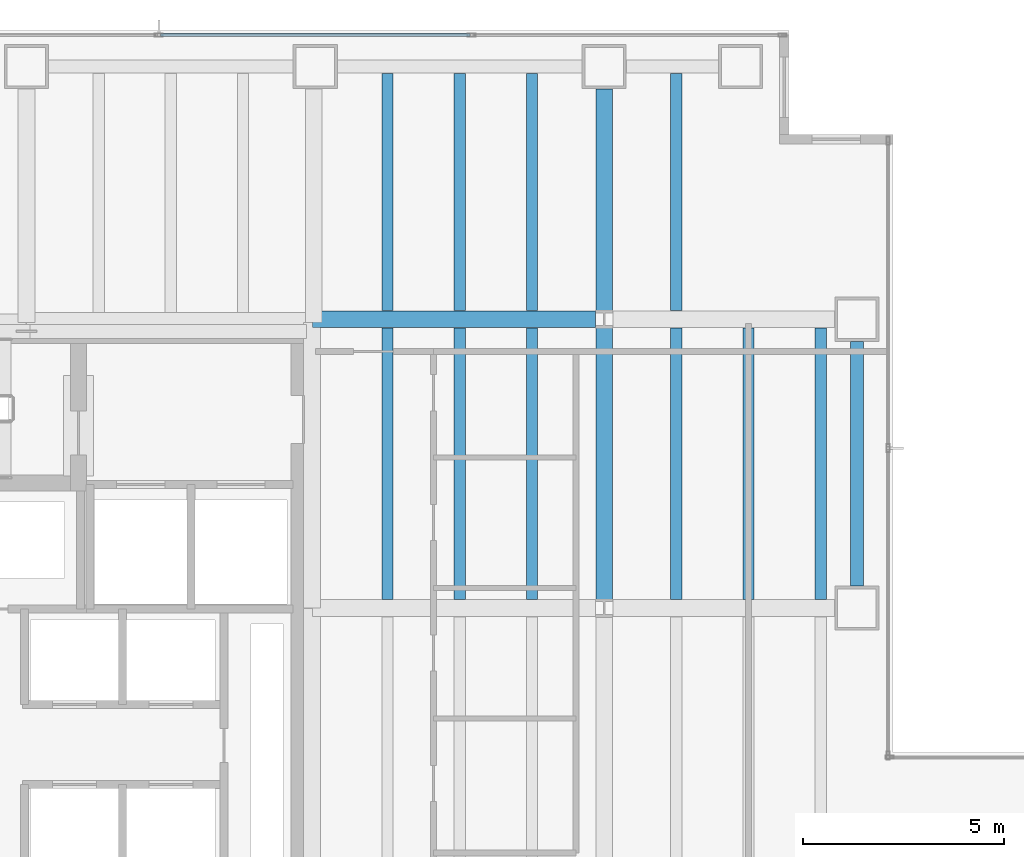
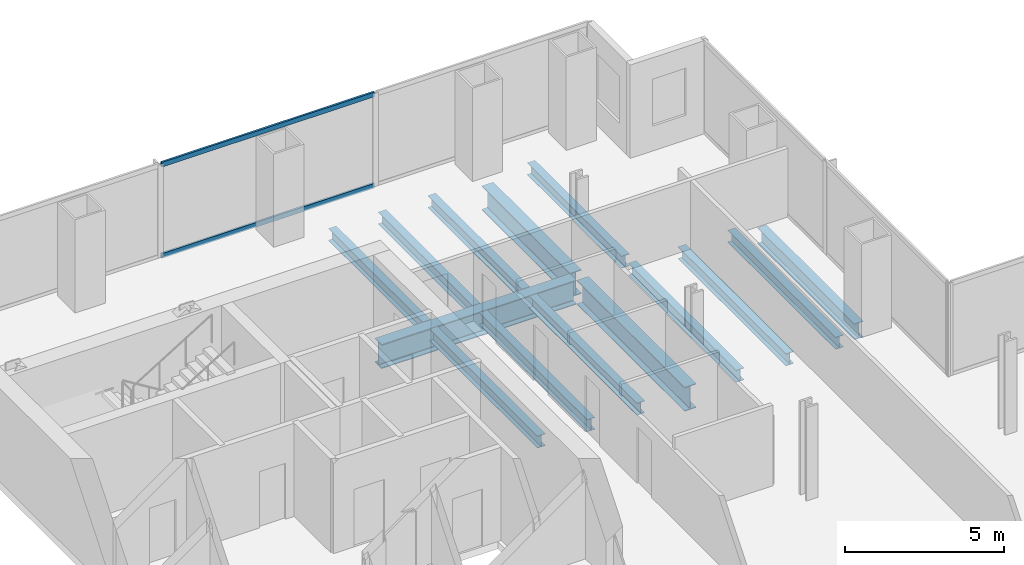
# One storey, part 17 of 25: 14 beams, 2 members, 1 element without a shape of its own.
"""IFC4 building model written with IfcOpenShell, lengths in metres."""

from ifc_helpers import new_model, si_unit, direction, frame, origin, origin_2d, place, context, subcontext, project, spatial, hollow_rectangle, i_section, extrude, material, material_profile, profile_set, type_object, element, aggregate, save


model = new_model("IFC4")

# Units and contexts
model_context = context("Model", 3, precision=1e-05, world=origin(), true_north=direction((0.0, 1.0)))
body_context = subcontext(model_context, "Body", "Model", "MODEL_VIEW")
ifc_project = project(units=[si_unit("LENGTHUNIT", "METRE"), si_unit("AREAUNIT", "SQUARE_METRE"), si_unit("VOLUMEUNIT", "CUBIC_METRE"), si_unit("PLANEANGLEUNIT", "RADIAN"), si_unit("MASSUNIT", "GRAM", prefix="KILO")], contexts=[model_context])

# Site, building, storey
site_placement = place(None, origin())
site = spatial("IfcSite", under=ifc_project, at=site_placement, CompositionType="ELEMENT")
building_placement = place(site_placement, origin())
building = spatial("IfcBuilding", under=site, at=building_placement, Name="Cobrela Telecom Tower", CompositionType="ELEMENT")
storey_placement = place(building_placement, frame((0.0, 0.0, 35.0)))
storey = spatial("IfcBuildingStorey", under=building, at=storey_placement, Name="L08", CompositionType="ELEMENT", Elevation=35.0)

# Beams
ifc_material_1 = material(Name="Steel ASTM A992 Grade 50", Category="steel")
ifc_material_profile_1 = material_profile(ifc_material_1, i_section(OverallWidth=0.4189453125, OverallDepth=0.927001953125, WebThickness=0.019287109375, FlangeThickness=0.031982421875, FilletRadius=0.02392578125, at=origin_2d()), Name="W36X231")
ifc_profile_set_1 = profile_set([ifc_material_profile_1], Name="Steel ASTM A992 Grade 50")
beam_type_1 = type_object("IfcBeamType", Name="BM-GIRD-02", PredefinedType="USERDEFINED", material=ifc_profile_set_1)
beam_1_placement = place(storey_placement, frame((14.324951171875, 36.0, -0.743408203125), z_axis=(1.0, 0.0, 0.0), x_axis=(0.0, 1.0, 0.0)))
element("IfcBeam", 1, at=beam_1_placement, inside=storey, type_object=beam_type_1, Name="L08 Primary Girder X27", ObjectType="GIRDER", PredefinedType="USERDEFINED", context=body_context, shape_type="SweptSolid", body=[
    extrude(i_section(OverallWidth=0.4189453125, OverallDepth=0.927001953125, WebThickness=0.019287109375, FlangeThickness=0.031982421875, FilletRadius=0.02392578125, at=origin_2d()), origin(), (0.0, 0.0, 1.0), 7.05908203125),
])
beam_2_placement = place(storey_placement, frame((21.60009765625, 29.01611328125, -0.743408203125), z_axis=(0.0, 1.0, 0.0), x_axis=(-1.0, 0.0, 0.0)))
element("IfcBeam", 2, at=beam_2_placement, inside=storey, type_object=beam_type_1, Name="L08 Primary Girder Y44", ObjectType="GIRDER", PredefinedType="USERDEFINED", context=body_context, shape_type="SweptSolid", body=[
    extrude(i_section(OverallWidth=0.4189453125, OverallDepth=0.927001953125, WebThickness=0.019287109375, FlangeThickness=0.031982421875, FilletRadius=0.02392578125, at=origin_2d()), origin(), (0.0, 0.0, 1.0), 6.767822265625),
])
beam_3_placement = place(storey_placement, frame((21.60009765625, 36.216064453125, -0.743408203125), z_axis=(0.0, 1.0, 0.0), x_axis=(-1.0, 0.0, 0.0)))
element("IfcBeam", 3, at=beam_3_placement, inside=storey, type_object=beam_type_1, Name="L08 Primary Girder Y45", ObjectType="GIRDER", PredefinedType="USERDEFINED", context=body_context, shape_type="SweptSolid", body=[
    extrude(i_section(OverallWidth=0.4189453125, OverallDepth=0.927001953125, WebThickness=0.019287109375, FlangeThickness=0.031982421875, FilletRadius=0.02392578125, at=origin_2d()), origin(), (0.0, 0.0, 1.0), 5.529052734375),
])
ifc_material_profile_2 = material_profile(ifc_material_1, i_section(OverallWidth=0.281982421875, OverallDepth=0.467041015625, WebThickness=0.01220703125, FlangeThickness=0.01953125, FilletRadius=0.012939453125, at=origin_2d()), Name="W18X86")
ifc_profile_set_2 = profile_set([ifc_material_profile_2], Name="Steel ASTM A992 Grade 50")
beam_type_2 = type_object("IfcBeamType", Name="BM-JOIST-02", PredefinedType="JOIST", material=ifc_profile_set_2)
beam_4_placement = place(storey_placement, frame((16.199951171875, 29.014404296875, -0.513427734375), z_axis=(0.0, 1.0, 0.0), x_axis=(-1.0, 0.0, 0.0)))
element("IfcBeam", 4, at=beam_4_placement, inside=storey, type_object=beam_type_2, Name="L08 Secondary Composite Floor Beam J11", PredefinedType="JOIST", context=body_context, shape_type="SweptSolid", body=[
    extrude(i_section(OverallWidth=0.281982421875, OverallDepth=0.467041015625, WebThickness=0.01220703125, FlangeThickness=0.01953125, FilletRadius=0.012939453125, at=origin_2d()), origin(), (0.0, 0.0, 1.0), 6.77099609375),
])
beam_5_placement = place(storey_placement, frame((16.199951171875, 36.214599609375, -0.513427734375), z_axis=(0.0, 1.0, 0.0), x_axis=(-1.0, 0.0, 0.0)))
element("IfcBeam", 5, at=beam_5_placement, inside=storey, type_object=beam_type_2, Name="L08 Secondary Composite Floor Beam J12", PredefinedType="JOIST", context=body_context, shape_type="SweptSolid", body=[
    extrude(i_section(OverallWidth=0.281982421875, OverallDepth=0.467041015625, WebThickness=0.01220703125, FlangeThickness=0.01953125, FilletRadius=0.012939453125, at=origin_2d()), origin(), (0.0, 0.0, 1.0), 5.91796875),
])
beam_6_placement = place(storey_placement, frame((18.0, 29.014404296875, -0.513427734375), z_axis=(0.0, 1.0, 0.0), x_axis=(-1.0, 0.0, 0.0)))
element("IfcBeam", 6, at=beam_6_placement, inside=storey, type_object=beam_type_2, Name="L08 Secondary Composite Floor Beam J17", PredefinedType="JOIST", context=body_context, shape_type="SweptSolid", body=[
    extrude(i_section(OverallWidth=0.281982421875, OverallDepth=0.467041015625, WebThickness=0.01220703125, FlangeThickness=0.01953125, FilletRadius=0.012939453125, at=origin_2d()), origin(), (0.0, 0.0, 1.0), 6.77099609375),
])
beam_7_placement = place(storey_placement, frame((18.0, 36.214599609375, -0.513427734375), z_axis=(0.0, 1.0, 0.0), x_axis=(-1.0, 0.0, 0.0)))
element("IfcBeam", 7, at=beam_7_placement, inside=storey, type_object=beam_type_2, Name="L08 Secondary Composite Floor Beam J18", PredefinedType="JOIST", context=body_context, shape_type="SweptSolid", body=[
    extrude(i_section(OverallWidth=0.281982421875, OverallDepth=0.467041015625, WebThickness=0.01220703125, FlangeThickness=0.01953125, FilletRadius=0.012939453125, at=origin_2d()), origin(), (0.0, 0.0, 1.0), 5.91796875),
])
beam_8_placement = place(storey_placement, frame((19.800048828125, 29.014404296875, -0.513427734375), z_axis=(0.0, 1.0, 0.0), x_axis=(-1.0, 0.0, 0.0)))
element("IfcBeam", 8, at=beam_8_placement, inside=storey, type_object=beam_type_2, Name="L08 Secondary Composite Floor Beam J23", PredefinedType="JOIST", context=body_context, shape_type="SweptSolid", body=[
    extrude(i_section(OverallWidth=0.281982421875, OverallDepth=0.467041015625, WebThickness=0.01220703125, FlangeThickness=0.01953125, FilletRadius=0.012939453125, at=origin_2d()), origin(), (0.0, 0.0, 1.0), 6.77099609375),
])
beam_9_placement = place(storey_placement, frame((19.800048828125, 36.214599609375, -0.513427734375), z_axis=(0.0, 1.0, 0.0), x_axis=(-1.0, 0.0, 0.0)))
element("IfcBeam", 9, at=beam_9_placement, inside=storey, type_object=beam_type_2, Name="L08 Secondary Composite Floor Beam J24", PredefinedType="JOIST", context=body_context, shape_type="SweptSolid", body=[
    extrude(i_section(OverallWidth=0.281982421875, OverallDepth=0.467041015625, WebThickness=0.01220703125, FlangeThickness=0.01953125, FilletRadius=0.012939453125, at=origin_2d()), origin(), (0.0, 0.0, 1.0), 5.91796875),
])
beam_10_placement = place(storey_placement, frame((23.39990234375, 29.014404296875, -0.513427734375), z_axis=(0.0, 1.0, 0.0), x_axis=(-1.0, 0.0, 0.0)))
element("IfcBeam", 10, at=beam_10_placement, inside=storey, type_object=beam_type_2, Name="L08 Secondary Composite Floor Beam J29", PredefinedType="JOIST", context=body_context, shape_type="SweptSolid", body=[
    extrude(i_section(OverallWidth=0.281982421875, OverallDepth=0.467041015625, WebThickness=0.01220703125, FlangeThickness=0.01953125, FilletRadius=0.012939453125, at=origin_2d()), origin(), (0.0, 0.0, 1.0), 6.77099609375),
])
beam_11_placement = place(storey_placement, frame((23.39990234375, 36.214599609375, -0.513427734375), z_axis=(0.0, 1.0, 0.0), x_axis=(-1.0, 0.0, 0.0)))
element("IfcBeam", 11, at=beam_11_placement, inside=storey, type_object=beam_type_2, Name="L08 Secondary Composite Floor Beam J30", PredefinedType="JOIST", context=body_context, shape_type="SweptSolid", body=[
    extrude(i_section(OverallWidth=0.281982421875, OverallDepth=0.467041015625, WebThickness=0.01220703125, FlangeThickness=0.01953125, FilletRadius=0.012939453125, at=origin_2d()), origin(), (0.0, 0.0, 1.0), 5.91796875),
])
for number, where, z_axis, x_axis, name in (
    (12, (25.199951171875, 29.014404296875, -0.513427734375), (0.0, 1.0, 0.0), (-1.0, 0.0, 0.0), "L08 Secondary Composite Floor Beam J35"),
    (13, (27.0, 29.014404296875, -0.513427734375), (0.0, 1.0, 0.0), (-1.0, 0.0, 0.0), "L08 Secondary Composite Floor Beam J40"),
):
    element("IfcBeam", number, at=place(storey_placement, frame(where, z_axis=z_axis, x_axis=x_axis)), inside=storey, type_object=beam_type_2, Name=name, PredefinedType="JOIST", context=body_context, shape_type="SweptSolid", body=[
        extrude(i_section(OverallWidth=0.281982421875, OverallDepth=0.467041015625, WebThickness=0.01220703125, FlangeThickness=0.01953125, FilletRadius=0.012939453125, at=origin_2d()), origin(), (0.0, 0.0, 1.0), 6.77099609375),
    ])
ifc_material_profile_3 = material_profile(ifc_material_1, i_section(OverallWidth=0.324951171875, OverallDepth=0.612060546875, WebThickness=0.0126953125, FlangeThickness=0.01904296875, FilletRadius=0.014892578125, at=origin_2d()), Name="W24X104")
ifc_profile_set_3 = profile_set([ifc_material_profile_3], Name="Steel ASTM A992 Grade 50")
beam_type_3 = type_object("IfcBeamType", Name="BM-SPAND-02", PredefinedType="SPANDREL", material=ifc_profile_set_3)
beam_12_placement = place(storey_placement, frame((27.89990234375, 29.35498046875, -0.5859375), z_axis=(0.0, 1.0, 0.0), x_axis=(-1.0, 0.0, 0.0)))
element("IfcBeam", 14, at=beam_12_placement, inside=storey, type_object=beam_type_3, Name="L08 Perimeter Spandrel Y46", PredefinedType="SPANDREL", context=body_context, shape_type="SweptSolid", body=[
    extrude(i_section(OverallWidth=0.324951171875, OverallDepth=0.612060546875, WebThickness=0.0126953125, FlangeThickness=0.01904296875, FilletRadius=0.014892578125, at=origin_2d()), origin(), (0.0, 0.0, 1.0), 6.090087890625),
])

# Curtain wall, members
ifc_material_2 = material(Name="Anodized Bronze Aluminium 6063-T6", Category="aluminium")
curtain_wall_type = type_object("IfcCurtainWallType", Name="CW-SYS-DATA", PredefinedType="USERDEFINED", material=ifc_material_2)
curtain_wall_placement = place(storey_placement, origin())
curtain_wall = element("IfcCurtainWall", 15, at=curtain_wall_placement, inside=storey, type_object=curtain_wall_type, Name="L08 Unitised Bronze Curtain Wall 07", ObjectType="UNITISED CURTAIN WALL", PredefinedType="USERDEFINED")
ifc_material_profile_4 = material_profile(ifc_material_2, hollow_rectangle(XDim=0.074951171875, YDim=0.179931640625, WallThickness=0.00390625, at=origin_2d()), Name="ALU 75x180x4")
ifc_profile_set_4 = profile_set([ifc_material_profile_4], Name="Anodized Bronze Aluminium 6063-T6")
member_type = type_object("IfcMemberType", Name="CW-SYS-DATA-TRN", PredefinedType="USERDEFINED", material=ifc_profile_set_4)
member_1_placement = place(storey_placement, frame((10.543212890625, 43.080078125, 0.03759765625), z_axis=(1.0, 0.0, 0.0), x_axis=(0.0, 1.0, 0.0)))
member_1 = element("IfcMember", 16, at=member_1_placement, type_object=member_type, Name="CW-DATA transom 2.1", ObjectType="TRANSOM", PredefinedType="USERDEFINED", context=body_context, shape_type="SweptSolid", body=[
    extrude(hollow_rectangle(XDim=0.074951171875, YDim=0.179931640625, WallThickness=0.00390625, at=origin_2d()), origin(), (0.0, 0.0, 1.0), 7.71337890625),
])
member_2_placement = place(storey_placement, frame((10.543212890625, 43.080078125, 3.532470703125), z_axis=(1.0, 0.0, 0.0), x_axis=(0.0, 1.0, 0.0)))
member_2 = element("IfcMember", 17, at=member_2_placement, type_object=member_type, Name="CW-DATA transom 2.2", ObjectType="TRANSOM", PredefinedType="USERDEFINED", context=body_context, shape_type="SweptSolid", body=[
    extrude(hollow_rectangle(XDim=0.074951171875, YDim=0.179931640625, WallThickness=0.00390625, at=origin_2d()), origin(), (0.0, 0.0, 1.0), 7.71337890625),
])
aggregate(curtain_wall, [member_1, member_2])

save(model, "model.ifc")
